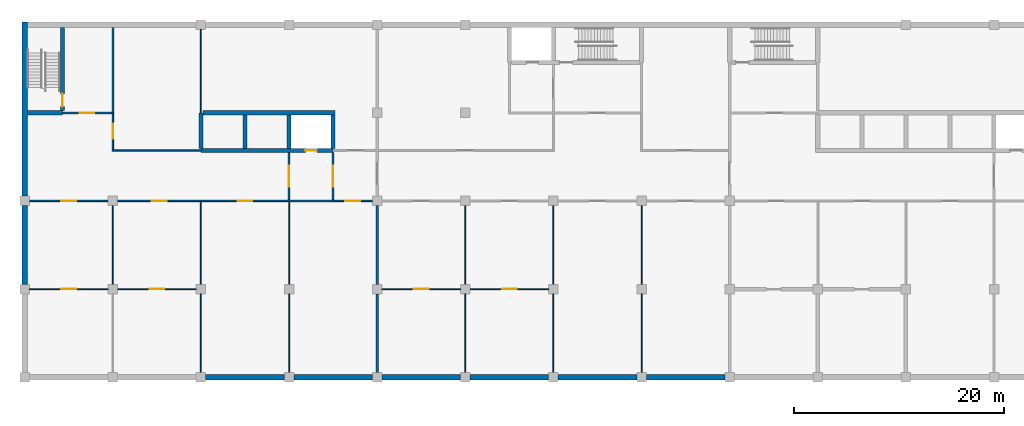
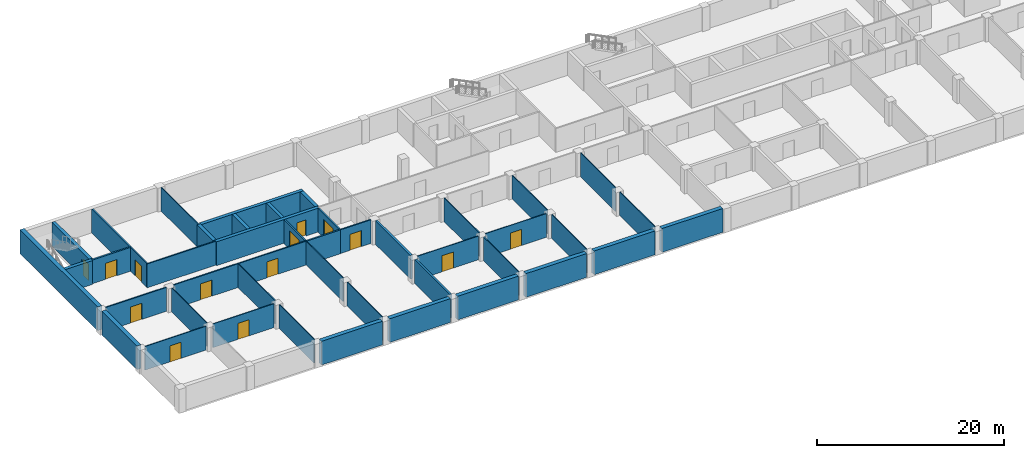
# One storey, part 2 of 12: 44 walls, 14 doors, 14 openings.
"""IFC4 building model written with IfcOpenShell, lengths in metres."""

from ifc_helpers import new_model, si_unit, direction, frame, frame_2d, origin, place, context, subcontext, project, spatial, rectangle, extrude, material, layer, layer_set, type_object, element, fill, save


model = new_model("IFC4")

# Units and contexts
model_context = context("Model", 3, precision=1e-05, world=origin(), true_north=direction((0.0, 1.0)))
body_context = subcontext(model_context, "Body", "Model", "MODEL_VIEW")
ifc_project = project(units=[si_unit("LENGTHUNIT", "METRE"), si_unit("AREAUNIT", "SQUARE_METRE"), si_unit("VOLUMEUNIT", "CUBIC_METRE"), si_unit("PLANEANGLEUNIT", "RADIAN"), si_unit("MASSUNIT", "GRAM", prefix="KILO")], contexts=[model_context])

# Site, building, storey
site_placement = place(None, origin())
site = spatial("IfcSite", under=ifc_project, at=site_placement, CompositionType="ELEMENT")
building_placement = place(site_placement, origin())
building = spatial("IfcBuilding", under=site, at=building_placement, Name="Yavir Park General Hospital", CompositionType="ELEMENT")
storey_placement = place(building_placement, frame((0.0, 0.0, -7.800048828125)))
storey = spatial("IfcBuildingStorey", under=building, at=storey_placement, Name="B2", CompositionType="ELEMENT", Elevation=-7.800048828125)

# Walls
ifc_material_1 = material(Name="Concrete C30/37", Category="concrete")
ifc_layer_1 = layer(ifc_material_1, 0.25)
ifc_layer_set_1 = layer_set([ifc_layer_1], Name="Concrete C30/37")
wall_type_1 = type_object("IfcWallType", Name="Compartment fire wall 250, REI 150", PredefinedType="SOLIDWALL", material=ifc_layer_set_1)
for number, where, z_axis, x_axis, name in (
    (1, (33.60009765625, 0.449951171875, 0.0), (0.0, 0.0, 1.0), (0.0, 1.0, 0.0), "FW25 B2-070"),
    (2, (33.60009765625, 8.85009765625, 0.0), (0.0, 0.0, 1.0), (0.0, 1.0, 0.0), "FW25 B2-071"),
):
    element("IfcWall", number, at=place(storey_placement, frame(where, z_axis=z_axis, x_axis=x_axis)), inside=storey, type_object=wall_type_1, Name=name, PredefinedType="SOLIDWALL", context=body_context, shape_type="SweptSolid", body=[
        extrude(rectangle(XDim=7.5, YDim=0.25, at=frame_2d((3.75, 0.0))), origin(), (0.0, 0.0, 1.0), 3.10009765625),
    ])
ifc_material_2 = material(Name="Double gypsum board fire partition on steel studs", Category="steel")
ifc_layer_2 = layer(ifc_material_2, 0.199951171875)
ifc_layer_set_2 = layer_set([ifc_layer_2], Name="Double gypsum board fire partition on steel studs")
wall_type_2 = type_object("IfcWallType", Name="Fire-rated partition 200, EI 60", PredefinedType="PARTITIONING", material=ifc_layer_set_2)
wall_1_placement = place(storey_placement, frame((25.199951171875, 16.800048828125, 0.0), z_axis=(0.0, 0.0, 1.0), x_axis=(1.0, 0.0, 0.0)))
element("IfcWall", 3, at=wall_1_placement, inside=storey, type_object=wall_type_2, Name="FP20 B2-013", PredefinedType="PARTITIONING", context=body_context, shape_type="SweptSolid", body=[
    extrude(rectangle(XDim=4.199951171875, YDim=0.199951171875, at=frame_2d((2.10009765625, 0.0))), origin(), (0.0, 0.0, 1.0), 3.10009765625),
])

# Wall, opening, door
wall_2_placement = place(storey_placement, frame((3.60009765625, 25.199951171875, 0.0), z_axis=(0.0, 0.0, 1.0), x_axis=(1.0, 0.0, 0.0)))
wall_2 = element("IfcWall", 4, at=wall_2_placement, inside=storey, type_object=wall_type_2, Name="FP20 B2-038", PredefinedType="PARTITIONING", context=body_context, shape_type="SweptSolid", body=[
    extrude(rectangle(XDim=4.699951171875, YDim=0.199951171875, at=frame_2d((2.35009765625, 0.0))), origin(), (0.0, 0.0, 1.0), 3.10009765625),
])
opening_1_placement = place(wall_2_placement, frame((1.64990234375, 0.0, 0.0)))
opening_1 = element("IfcOpeningElement", 5, at=opening_1_placement, cuts=wall_2, Name="Opening B2.D040", PredefinedType="OPENING", context=body_context, shape_type="SweptSolid", body=[
    extrude(rectangle(XDim=1.39990234375, YDim=2.10009765625, at=frame_2d((0.699951171875, 1.050048828125))), frame((0.0, 0.10986328125, 0.0), z_axis=(0.0, -1.0, 0.0), x_axis=(1.0, 0.0, 0.0)), (0.0, 0.0, 1.0), 0.219970703125),
])
ifc_material_3 = material(Name="Steel frame, fire-resisting leaves with vision panels", Category="steel")
door_type_1 = type_object("IfcDoorType", Name="Double fire door with vision panels 1400 x 2100, EI 60", OperationType="DOUBLE_DOOR_SINGLE_SWING", PredefinedType="DOOR", material=ifc_material_3)
door_1_placement = place(opening_1_placement, origin())
door_1 = element("IfcDoor", 6, at=door_1_placement, inside=storey, type_object=door_type_1, Name="B2.D040", OperationType="SINGLE_SWING_LEFT", OverallHeight=2.10009765625, OverallWidth=1.39990234375, PredefinedType="DOOR", context=body_context, shape_type="SweptSolid", body=[
    extrude(rectangle(XDim=1.39990234375, YDim=2.10009765625, at=frame_2d((0.699951171875, 1.050048828125))), frame((0.0, 0.030029296875, 0.0), z_axis=(0.0, -1.0, 0.0), x_axis=(1.0, 0.0, 0.0)), (0.0, 0.0, 1.0), 0.06005859375),
])
fill(opening_1, door_1)

# Wall
wall_3_placement = place(storey_placement, frame((8.39990234375, 25.199951171875, 0.0), z_axis=(0.0, 0.0, 1.0), x_axis=(0.0, 1.0, 0.0)))
element("IfcWall", 7, at=wall_3_placement, inside=storey, type_object=wall_type_2, Name="FP20 B2-058", PredefinedType="PARTITIONING", context=body_context, shape_type="SweptSolid", body=[
    extrude(rectangle(XDim=8.150146484375, YDim=0.199951171875, at=frame_2d((4.0751953125, 0.0))), origin(), (0.0, 0.0, 1.0), 3.10009765625),
])

# Wall, opening, door
wall_4_placement = place(storey_placement, frame((25.199951171875, 16.89990234375, 0.0), z_axis=(0.0, 0.0, 1.0), x_axis=(0.0, 1.0, 0.0)))
wall_4 = element("IfcWall", 8, at=wall_4_placement, inside=storey, type_object=wall_type_2, Name="FP20 B2-066", PredefinedType="PARTITIONING", context=body_context, shape_type="SweptSolid", body=[
    extrude(rectangle(XDim=4.5, YDim=0.199951171875, at=frame_2d((2.25, 0.0))), origin(), (0.0, 0.0, 1.0), 3.10009765625),
])
opening_2_placement = place(wall_4_placement, frame((1.25, 0.0, 0.0)))
opening_2 = element("IfcOpeningElement", 9, at=opening_2_placement, cuts=wall_4, Name="Opening B2.D056", PredefinedType="OPENING", context=body_context, shape_type="SweptSolid", body=[
    extrude(rectangle(XDim=2.0, YDim=2.39990234375, at=frame_2d((1.0, 1.199951171875))), frame((0.0, 0.10986328125, 0.0), z_axis=(0.0, -1.0, 0.0), x_axis=(1.0, 0.0, 0.0)), (0.0, 0.0, 1.0), 0.219970703125),
])
ifc_material_4 = material(Name="Steel frame, fire-resisting leaves with vision panels", Category="steel")
door_type_2 = type_object("IfcDoorType", Name="Double fire door with vision panels 2000 x 2400, EI 60", OperationType="DOUBLE_DOOR_SINGLE_SWING", PredefinedType="DOOR", material=ifc_material_4)
door_2_placement = place(opening_2_placement, origin())
door_2 = element("IfcDoor", 10, at=door_2_placement, inside=storey, type_object=door_type_2, Name="B2.D056", OperationType="SINGLE_SWING_LEFT", OverallHeight=2.39990234375, OverallWidth=2.0, PredefinedType="DOOR", context=body_context, shape_type="SweptSolid", body=[
    extrude(rectangle(XDim=2.0, YDim=2.39990234375, at=frame_2d((1.0, 1.199951171875))), frame((0.0, 0.030029296875, 0.0), z_axis=(0.0, -1.0, 0.0), x_axis=(1.0, 0.0, 0.0)), (0.0, 0.0, 1.0), 0.06005859375),
])
fill(opening_2, door_2)

wall_5_placement = place(storey_placement, frame((29.39990234375, 16.89990234375, 0.0), z_axis=(0.0, 0.0, 1.0), x_axis=(0.0, 1.0, 0.0)))
wall_5 = element("IfcWall", 11, at=wall_5_placement, inside=storey, type_object=wall_type_2, Name="FP20 B2-068", PredefinedType="PARTITIONING", context=body_context, shape_type="SweptSolid", body=[
    extrude(rectangle(XDim=4.5, YDim=0.199951171875, at=frame_2d((2.25, 0.0))), origin(), (0.0, 0.0, 1.0), 3.10009765625),
])
opening_3_placement = place(wall_5_placement, frame((1.25, 0.0, 0.0)))
opening_3 = element("IfcOpeningElement", 12, at=opening_3_placement, cuts=wall_5, Name="Opening B2.D057", PredefinedType="OPENING", context=body_context, shape_type="SweptSolid", body=[
    extrude(rectangle(XDim=2.0, YDim=2.39990234375, at=frame_2d((1.0, 1.199951171875))), frame((0.0, 0.10986328125, 0.0), z_axis=(0.0, -1.0, 0.0), x_axis=(1.0, 0.0, 0.0)), (0.0, 0.0, 1.0), 0.219970703125),
])
door_3_placement = place(opening_3_placement, origin())
door_3 = element("IfcDoor", 13, at=door_3_placement, inside=storey, type_object=door_type_2, Name="B2.D057", OperationType="SINGLE_SWING_LEFT", OverallHeight=2.39990234375, OverallWidth=2.0, PredefinedType="DOOR", context=body_context, shape_type="SweptSolid", body=[
    extrude(rectangle(XDim=2.0, YDim=2.39990234375, at=frame_2d((1.0, 1.199951171875))), frame((0.0, 0.030029296875, 0.0), z_axis=(0.0, -1.0, 0.0), x_axis=(1.0, 0.0, 0.0)), (0.0, 0.0, 1.0), 0.06005859375),
])
fill(opening_3, door_3)

ifc_material_5 = material(Name="Gypsum board partition on steel studs", Category="steel")
ifc_layer_3 = layer(ifc_material_5, 0.10009765625)
ifc_layer_set_3 = layer_set([ifc_layer_3], Name="Gypsum board partition on steel studs")
wall_type_3 = type_object("IfcWallType", Name="Gypsum board partition 100", PredefinedType="PARTITIONING", material=ifc_layer_set_3)
wall_6_placement = place(storey_placement, frame((0.449951171875, 8.39990234375, 0.0), z_axis=(0.0, 0.0, 1.0), x_axis=(1.0, 0.0, 0.0)))
wall_6 = element("IfcWall", 14, at=wall_6_placement, inside=storey, type_object=wall_type_3, Name="P10 B2-001", PredefinedType="PARTITIONING", context=body_context, shape_type="SweptSolid", body=[
    extrude(rectangle(XDim=7.5, YDim=0.10009765625, at=frame_2d((3.75, 0.0))), origin(), (0.0, 0.0, 1.0), 3.10009765625),
])
opening_4_placement = place(wall_6_placement, frame((3.050048828125, 0.0, 0.0)))
opening_4 = element("IfcOpeningElement", 15, at=opening_4_placement, cuts=wall_6, Name="Opening B2.D001", PredefinedType="OPENING", context=body_context, shape_type="SweptSolid", body=[
    extrude(rectangle(XDim=1.39990234375, YDim=2.10009765625, at=frame_2d((0.699951171875, 1.050048828125))), frame((0.0, 0.06005859375, 0.0), z_axis=(0.0, -1.0, 0.0), x_axis=(1.0, 0.0, 0.0)), (0.0, 0.0, 1.0), 0.1201171875),
])
ifc_material_6 = material(Name="Hollow metal frame, solid-core timber leaf", Category="wood")
door_type_3 = type_object("IfcDoorType", Name="Double swing door 1400 x 2100", OperationType="DOUBLE_DOOR_SINGLE_SWING", PredefinedType="DOOR", material=ifc_material_6)
door_4_placement = place(opening_4_placement, origin())
door_4 = element("IfcDoor", 16, at=door_4_placement, inside=storey, type_object=door_type_3, Name="B2.D001", OperationType="SINGLE_SWING_LEFT", OverallHeight=2.10009765625, OverallWidth=1.39990234375, PredefinedType="DOOR", context=body_context, shape_type="SweptSolid", body=[
    extrude(rectangle(XDim=1.39990234375, YDim=2.10009765625, at=frame_2d((0.699951171875, 1.050048828125))), frame((0.0, 0.02490234375, 0.0), z_axis=(0.0, -1.0, 0.0), x_axis=(1.0, 0.0, 0.0)), (0.0, 0.0, 1.0), 0.050048828125),
])
fill(opening_4, door_4)

wall_7_placement = place(storey_placement, frame((8.85009765625, 8.39990234375, 0.0), z_axis=(0.0, 0.0, 1.0), x_axis=(1.0, 0.0, 0.0)))
wall_7 = element("IfcWall", 17, at=wall_7_placement, inside=storey, type_object=wall_type_3, Name="P10 B2-002", PredefinedType="PARTITIONING", context=body_context, shape_type="SweptSolid", body=[
    extrude(rectangle(XDim=7.5, YDim=0.10009765625, at=frame_2d((3.75, 0.0))), origin(), (0.0, 0.0, 1.0), 3.10009765625),
])
opening_5_placement = place(wall_7_placement, frame((3.050048828125, 0.0, 0.0)))
opening_5 = element("IfcOpeningElement", 18, at=opening_5_placement, cuts=wall_7, Name="Opening B2.D002", PredefinedType="OPENING", context=body_context, shape_type="SweptSolid", body=[
    extrude(rectangle(XDim=1.39990234375, YDim=2.10009765625, at=frame_2d((0.699951171875, 1.050048828125))), frame((0.0, 0.06005859375, 0.0), z_axis=(0.0, -1.0, 0.0), x_axis=(1.0, 0.0, 0.0)), (0.0, 0.0, 1.0), 0.1201171875),
])
door_5_placement = place(opening_5_placement, origin())
door_5 = element("IfcDoor", 19, at=door_5_placement, inside=storey, type_object=door_type_3, Name="B2.D002", OperationType="SINGLE_SWING_LEFT", OverallHeight=2.10009765625, OverallWidth=1.39990234375, PredefinedType="DOOR", context=body_context, shape_type="SweptSolid", body=[
    extrude(rectangle(XDim=1.39990234375, YDim=2.10009765625, at=frame_2d((0.699951171875, 1.050048828125))), frame((0.0, 0.02490234375, 0.0), z_axis=(0.0, -1.0, 0.0), x_axis=(1.0, 0.0, 0.0)), (0.0, 0.0, 1.0), 0.050048828125),
])
fill(opening_5, door_5)

wall_8_placement = place(storey_placement, frame((34.050048828125, 8.39990234375, 0.0), z_axis=(0.0, 0.0, 1.0), x_axis=(1.0, 0.0, 0.0)))
wall_8 = element("IfcWall", 20, at=wall_8_placement, inside=storey, type_object=wall_type_3, Name="P10 B2-003", PredefinedType="PARTITIONING", context=body_context, shape_type="SweptSolid", body=[
    extrude(rectangle(XDim=7.5, YDim=0.10009765625, at=frame_2d((3.75, 0.0))), origin(), (0.0, 0.0, 1.0), 3.10009765625),
])
opening_6_placement = place(wall_8_placement, frame((3.050048828125, 0.0, 0.0)))
opening_6 = element("IfcOpeningElement", 21, at=opening_6_placement, cuts=wall_8, Name="Opening B2.D003", PredefinedType="OPENING", context=body_context, shape_type="SweptSolid", body=[
    extrude(rectangle(XDim=1.39990234375, YDim=2.10009765625, at=frame_2d((0.699951171875, 1.050048828125))), frame((0.0, 0.06005859375, 0.0), z_axis=(0.0, -1.0, 0.0), x_axis=(1.0, 0.0, 0.0)), (0.0, 0.0, 1.0), 0.1201171875),
])
door_6_placement = place(opening_6_placement, origin())
door_6 = element("IfcDoor", 22, at=door_6_placement, inside=storey, type_object=door_type_3, Name="B2.D003", OperationType="SINGLE_SWING_LEFT", OverallHeight=2.10009765625, OverallWidth=1.39990234375, PredefinedType="DOOR", context=body_context, shape_type="SweptSolid", body=[
    extrude(rectangle(XDim=1.39990234375, YDim=2.10009765625, at=frame_2d((0.699951171875, 1.050048828125))), frame((0.0, 0.02490234375, 0.0), z_axis=(0.0, -1.0, 0.0), x_axis=(1.0, 0.0, 0.0)), (0.0, 0.0, 1.0), 0.050048828125),
])
fill(opening_6, door_6)

wall_9_placement = place(storey_placement, frame((42.449951171875, 8.39990234375, 0.0), z_axis=(0.0, 0.0, 1.0), x_axis=(1.0, 0.0, 0.0)))
wall_9 = element("IfcWall", 23, at=wall_9_placement, inside=storey, type_object=wall_type_3, Name="P10 B2-004", PredefinedType="PARTITIONING", context=body_context, shape_type="SweptSolid", body=[
    extrude(rectangle(XDim=7.5, YDim=0.10009765625, at=frame_2d((3.75, 0.0))), origin(), (0.0, 0.0, 1.0), 3.10009765625),
])
opening_7_placement = place(wall_9_placement, frame((3.050048828125, 0.0, 0.0)))
opening_7 = element("IfcOpeningElement", 24, at=opening_7_placement, cuts=wall_9, Name="Opening B2.D004", PredefinedType="OPENING", context=body_context, shape_type="SweptSolid", body=[
    extrude(rectangle(XDim=1.39990234375, YDim=2.10009765625, at=frame_2d((0.699951171875, 1.050048828125))), frame((0.0, 0.06005859375, 0.0), z_axis=(0.0, -1.0, 0.0), x_axis=(1.0, 0.0, 0.0)), (0.0, 0.0, 1.0), 0.1201171875),
])
door_7_placement = place(opening_7_placement, origin())
door_7 = element("IfcDoor", 25, at=door_7_placement, inside=storey, type_object=door_type_3, Name="B2.D004", OperationType="SINGLE_SWING_LEFT", OverallHeight=2.10009765625, OverallWidth=1.39990234375, PredefinedType="DOOR", context=body_context, shape_type="SweptSolid", body=[
    extrude(rectangle(XDim=1.39990234375, YDim=2.10009765625, at=frame_2d((0.699951171875, 1.050048828125))), frame((0.0, 0.02490234375, 0.0), z_axis=(0.0, -1.0, 0.0), x_axis=(1.0, 0.0, 0.0)), (0.0, 0.0, 1.0), 0.050048828125),
])
fill(opening_7, door_7)

# Walls
for number, where, z_axis, x_axis, name in (
    (26, (8.39990234375, 8.85009765625, 0.0), (0.0, 0.0, 1.0), (0.0, 1.0, 0.0), "P10 B2-056"),
    (27, (16.800048828125, 0.449951171875, 0.0), (0.0, 0.0, 1.0), (0.0, 1.0, 0.0), "P10 B2-059"),
):
    element("IfcWall", number, at=place(storey_placement, frame(where, z_axis=z_axis, x_axis=x_axis)), inside=storey, type_object=wall_type_3, Name=name, PredefinedType="PARTITIONING", context=body_context, shape_type="SweptSolid", body=[
        extrude(rectangle(XDim=7.5, YDim=0.10009765625, at=frame_2d((3.75, 0.0))), origin(), (0.0, 0.0, 1.0), 3.10009765625),
    ])
wall_10_placement = place(storey_placement, frame((16.800048828125, 8.85009765625, 0.0), z_axis=(0.0, 0.0, 1.0), x_axis=(0.0, 1.0, 0.0)))
element("IfcWall", 28, at=wall_10_placement, inside=storey, type_object=wall_type_3, Name="P10 B2-060", PredefinedType="PARTITIONING", context=body_context, shape_type="SweptSolid", body=[
    extrude(rectangle(XDim=7.875, YDim=0.10009765625, at=frame_2d((3.9375, 0.0))), origin(), (0.0, 0.0, 1.0), 3.10009765625),
])
wall_11_placement = place(storey_placement, frame((16.800048828125, 25.199951171875, 0.0), z_axis=(0.0, 0.0, 1.0), x_axis=(0.0, 1.0, 0.0)))
element("IfcWall", 29, at=wall_11_placement, inside=storey, type_object=wall_type_3, Name="P10 B2-062", PredefinedType="PARTITIONING", context=body_context, shape_type="SweptSolid", body=[
    extrude(rectangle(XDim=7.949951171875, YDim=0.10009765625, at=frame_2d((3.97509765625, 0.0))), origin(), (0.0, 0.0, 1.0), 3.10009765625),
])
wall_12_placement = place(storey_placement, frame((25.199951171875, 0.449951171875, 0.0), z_axis=(0.0, 0.0, 1.0), x_axis=(0.0, 1.0, 0.0)))
element("IfcWall", 30, at=wall_12_placement, inside=storey, type_object=wall_type_3, Name="P10 B2-064", PredefinedType="PARTITIONING", context=body_context, shape_type="SweptSolid", body=[
    extrude(rectangle(XDim=7.5, YDim=0.10009765625, at=frame_2d((3.75, 0.0))), origin(), (0.0, 0.0, 1.0), 3.10009765625),
])
wall_13_placement = place(storey_placement, frame((25.199951171875, 8.85009765625, 0.0), z_axis=(0.0, 0.0, 1.0), x_axis=(0.0, 1.0, 0.0)))
element("IfcWall", 31, at=wall_13_placement, inside=storey, type_object=wall_type_3, Name="P10 B2-065", PredefinedType="PARTITIONING", context=body_context, shape_type="SweptSolid", body=[
    extrude(rectangle(XDim=7.849853515625, YDim=0.10009765625, at=frame_2d((3.9248046875, 0.0))), origin(), (0.0, 0.0, 1.0), 3.10009765625),
])
for number, where, z_axis, x_axis, name in (
    (32, (42.0, 0.449951171875, 0.0), (0.0, 0.0, 1.0), (0.0, 1.0, 0.0), "P10 B2-075"),
    (33, (42.0, 8.85009765625, 0.0), (0.0, 0.0, 1.0), (0.0, 1.0, 0.0), "P10 B2-076"),
    (34, (50.39990234375, 0.449951171875, 0.0), (0.0, 0.0, 1.0), (0.0, 1.0, 0.0), "P10 B2-079"),
    (35, (50.39990234375, 8.85009765625, 0.0), (0.0, 0.0, 1.0), (0.0, 1.0, 0.0), "P10 B2-080"),
    (36, (58.800048828125, 0.449951171875, 0.0), (0.0, 0.0, 1.0), (0.0, 1.0, 0.0), "P10 B2-084"),
    (37, (58.800048828125, 8.85009765625, 0.0), (0.0, 0.0, 1.0), (0.0, 1.0, 0.0), "P10 B2-085"),
):
    element("IfcWall", number, at=place(storey_placement, frame(where, z_axis=z_axis, x_axis=x_axis)), inside=storey, type_object=wall_type_3, Name=name, PredefinedType="PARTITIONING", context=body_context, shape_type="SweptSolid", body=[
        extrude(rectangle(XDim=7.5, YDim=0.10009765625, at=frame_2d((3.75, 0.0))), origin(), (0.0, 0.0, 1.0), 3.10009765625),
    ])

# Wall, opening, door
ifc_material_7 = material(Name="Gypsum board partition on steel studs", Category="steel")
ifc_layer_4 = layer(ifc_material_7, 0.14990234375)
ifc_layer_set_4 = layer_set([ifc_layer_4], Name="Gypsum board partition on steel studs")
wall_type_4 = type_object("IfcWallType", Name="Gypsum board partition 150", PredefinedType="PARTITIONING", material=ifc_layer_set_4)
wall_14_placement = place(storey_placement, frame((0.449951171875, 16.800048828125, 0.0), z_axis=(0.0, 0.0, 1.0), x_axis=(1.0, 0.0, 0.0)))
wall_14 = element("IfcWall", 38, at=wall_14_placement, inside=storey, type_object=wall_type_4, Name="P15 B2-011", PredefinedType="PARTITIONING", context=body_context, shape_type="SweptSolid", body=[
    extrude(rectangle(XDim=7.5, YDim=0.14990234375, at=frame_2d((3.75, 0.0))), origin(), (0.0, 0.0, 1.0), 3.10009765625),
])
opening_8_placement = place(wall_14_placement, frame((3.050048828125, 0.0, 0.0)))
opening_8 = element("IfcOpeningElement", 39, at=opening_8_placement, cuts=wall_14, Name="Opening B2.D010", PredefinedType="OPENING", context=body_context, shape_type="SweptSolid", body=[
    extrude(rectangle(XDim=1.39990234375, YDim=2.10009765625, at=frame_2d((0.699951171875, 1.050048828125))), frame((0.0, 0.0849609375, 0.0), z_axis=(0.0, -1.0, 0.0), x_axis=(1.0, 0.0, 0.0)), (0.0, 0.0, 1.0), 0.169921875),
])
door_8_placement = place(opening_8_placement, origin())
door_8 = element("IfcDoor", 40, at=door_8_placement, inside=storey, type_object=door_type_3, Name="B2.D010", OperationType="SINGLE_SWING_LEFT", OverallHeight=2.10009765625, OverallWidth=1.39990234375, PredefinedType="DOOR", context=body_context, shape_type="SweptSolid", body=[
    extrude(rectangle(XDim=1.39990234375, YDim=2.10009765625, at=frame_2d((0.699951171875, 1.050048828125))), frame((0.0, 0.02490234375, 0.0), z_axis=(0.0, -1.0, 0.0), x_axis=(1.0, 0.0, 0.0)), (0.0, 0.0, 1.0), 0.050048828125),
])
fill(opening_8, door_8)

# Wall, openings, doors
wall_15_placement = place(storey_placement, frame((8.85009765625, 16.800048828125, 0.0), z_axis=(0.0, 0.0, 1.0), x_axis=(1.0, 0.0, 0.0)))
wall_15 = element("IfcWall", 41, at=wall_15_placement, inside=storey, type_object=wall_type_4, Name="P15 B2-012", PredefinedType="PARTITIONING", context=body_context, shape_type="SweptSolid", body=[
    extrude(rectangle(XDim=16.349853515625, YDim=0.14990234375, at=frame_2d((8.1748046875, 0.0))), origin(), (0.0, 0.0, 1.0), 3.10009765625),
])
opening_9_placement = place(wall_15_placement, frame((3.27490234375, 0.0, 0.0)))
opening_9 = element("IfcOpeningElement", 42, at=opening_9_placement, cuts=wall_15, Name="Opening B2.D011", PredefinedType="OPENING", context=body_context, shape_type="SweptSolid", body=[
    extrude(rectangle(XDim=1.39990234375, YDim=2.10009765625, at=frame_2d((0.699951171875, 1.050048828125))), frame((0.0, 0.0849609375, 0.0), z_axis=(0.0, -1.0, 0.0), x_axis=(1.0, 0.0, 0.0)), (0.0, 0.0, 1.0), 0.169921875),
])
opening_10_placement = place(wall_15_placement, frame((11.449951171875, 0.0, 0.0)))
opening_10 = element("IfcOpeningElement", 43, at=opening_10_placement, cuts=wall_15, Name="Opening B2.D012", PredefinedType="OPENING", context=body_context, shape_type="SweptSolid", body=[
    extrude(rectangle(XDim=1.39990234375, YDim=2.10009765625, at=frame_2d((0.699951171875, 1.050048828125))), frame((0.0, 0.0849609375, 0.0), z_axis=(0.0, -1.0, 0.0), x_axis=(1.0, 0.0, 0.0)), (0.0, 0.0, 1.0), 0.169921875),
])
door_9_placement = place(opening_9_placement, origin())
door_9 = element("IfcDoor", 44, at=door_9_placement, inside=storey, type_object=door_type_3, Name="B2.D011", OperationType="SINGLE_SWING_RIGHT", OverallHeight=2.10009765625, OverallWidth=1.39990234375, PredefinedType="DOOR", context=body_context, shape_type="SweptSolid", body=[
    extrude(rectangle(XDim=1.39990234375, YDim=2.10009765625, at=frame_2d((0.699951171875, 1.050048828125))), frame((0.0, 0.02490234375, 0.0), z_axis=(0.0, -1.0, 0.0), x_axis=(1.0, 0.0, 0.0)), (0.0, 0.0, 1.0), 0.050048828125),
])
fill(opening_9, door_9)
door_10_placement = place(opening_10_placement, origin())
door_10 = element("IfcDoor", 45, at=door_10_placement, inside=storey, type_object=door_type_3, Name="B2.D012", OperationType="SINGLE_SWING_LEFT", OverallHeight=2.10009765625, OverallWidth=1.39990234375, PredefinedType="DOOR", context=body_context, shape_type="SweptSolid", body=[
    extrude(rectangle(XDim=1.39990234375, YDim=2.10009765625, at=frame_2d((0.699951171875, 1.050048828125))), frame((0.0, 0.02490234375, 0.0), z_axis=(0.0, -1.0, 0.0), x_axis=(1.0, 0.0, 0.0)), (0.0, 0.0, 1.0), 0.050048828125),
])
fill(opening_10, door_10)

# Wall, opening, door
wall_16_placement = place(storey_placement, frame((29.39990234375, 16.800048828125, 0.0), z_axis=(0.0, 0.0, 1.0), x_axis=(1.0, 0.0, 0.0)))
wall_16 = element("IfcWall", 46, at=wall_16_placement, inside=storey, type_object=wall_type_4, Name="P15 B2-014", PredefinedType="PARTITIONING", context=body_context, shape_type="SweptSolid", body=[
    extrude(rectangle(XDim=3.75, YDim=0.14990234375, at=frame_2d((1.875, 0.0))), origin(), (0.0, 0.0, 1.0), 3.10009765625),
])
opening_11_placement = place(wall_16_placement, frame((1.175048828125, 0.0, 0.0)))
opening_11 = element("IfcOpeningElement", 47, at=opening_11_placement, cuts=wall_16, Name="Opening B2.D013", PredefinedType="OPENING", context=body_context, shape_type="SweptSolid", body=[
    extrude(rectangle(XDim=1.39990234375, YDim=2.10009765625, at=frame_2d((0.699951171875, 1.050048828125))), frame((0.0, 0.0849609375, 0.0), z_axis=(0.0, -1.0, 0.0), x_axis=(1.0, 0.0, 0.0)), (0.0, 0.0, 1.0), 0.169921875),
])
door_11_placement = place(opening_11_placement, origin())
door_11 = element("IfcDoor", 48, at=door_11_placement, inside=storey, type_object=door_type_3, Name="B2.D013", OperationType="SINGLE_SWING_RIGHT", OverallHeight=2.10009765625, OverallWidth=1.39990234375, PredefinedType="DOOR", context=body_context, shape_type="SweptSolid", body=[
    extrude(rectangle(XDim=1.39990234375, YDim=2.10009765625, at=frame_2d((0.699951171875, 1.050048828125))), frame((0.0, 0.02490234375, 0.0), z_axis=(0.0, -1.0, 0.0), x_axis=(1.0, 0.0, 0.0)), (0.0, 0.0, 1.0), 0.050048828125),
])
fill(opening_11, door_11)

# Wall
wall_17_placement = place(storey_placement, frame((8.324951171875, 21.60009765625, 0.0), z_axis=(0.0, 0.0, 1.0), x_axis=(1.0, 0.0, 0.0)))
element("IfcWall", 49, at=wall_17_placement, inside=storey, type_object=wall_type_4, Name="P15 B2-028", PredefinedType="PARTITIONING", context=body_context, shape_type="SweptSolid", body=[
    extrude(rectangle(XDim=8.47509765625, YDim=0.14990234375, at=frame_2d((4.237548828125, 0.0))), origin(), (0.0, 0.0, 1.0), 3.10009765625),
])

# Wall, opening, door
wall_18_placement = place(storey_placement, frame((8.39990234375, 21.675048828125, 0.0), z_axis=(0.0, 0.0, 1.0), x_axis=(0.0, 1.0, 0.0)))
wall_18 = element("IfcWall", 50, at=wall_18_placement, inside=storey, type_object=wall_type_4, Name="P15 B2-057", PredefinedType="PARTITIONING", context=body_context, shape_type="SweptSolid", body=[
    extrude(rectangle(XDim=3.52490234375, YDim=0.14990234375, at=frame_2d((1.762451171875, 0.0))), origin(), (0.0, 0.0, 1.0), 3.10009765625),
])
opening_12_placement = place(wall_18_placement, frame((1.0625, 0.0, 0.0)))
opening_12 = element("IfcOpeningElement", 51, at=opening_12_placement, cuts=wall_18, Name="Opening B2.D055", PredefinedType="OPENING", context=body_context, shape_type="SweptSolid", body=[
    extrude(rectangle(XDim=1.39990234375, YDim=2.10009765625, at=frame_2d((0.699951171875, 1.050048828125))), frame((0.0, 0.0849609375, 0.0), z_axis=(0.0, -1.0, 0.0), x_axis=(1.0, 0.0, 0.0)), (0.0, 0.0, 1.0), 0.169921875),
])
door_12_placement = place(opening_12_placement, origin())
door_12 = element("IfcDoor", 52, at=door_12_placement, inside=storey, type_object=door_type_3, Name="B2.D055", OperationType="SINGLE_SWING_LEFT", OverallHeight=2.10009765625, OverallWidth=1.39990234375, PredefinedType="DOOR", context=body_context, shape_type="SweptSolid", body=[
    extrude(rectangle(XDim=1.39990234375, YDim=2.10009765625, at=frame_2d((0.699951171875, 1.050048828125))), frame((0.0, 0.02490234375, 0.0), z_axis=(0.0, -1.0, 0.0), x_axis=(1.0, 0.0, 0.0)), (0.0, 0.0, 1.0), 0.050048828125),
])
fill(opening_12, door_12)

# Walls
ifc_material_8 = material(Name="Concrete C35/45", Category="concrete")
ifc_layer_5 = layer(ifc_material_8, 0.5)
ifc_layer_set_5 = layer_set([ifc_layer_5], Name="Concrete C35/45")
wall_type_5 = type_object("IfcWallType", Name="RC WALL RETAINING 500", PredefinedType="SOLIDWALL", material=ifc_layer_set_5)
for number, where, z_axis, x_axis, name in (
    (53, (17.25, 0.0, 0.0), (0.0, 0.0, 1.0), (1.0, 0.0, 0.0), "W:RET:B2:S2"),
    (54, (25.64990234375, 0.0, 0.0), (0.0, 0.0, 1.0), (1.0, 0.0, 0.0), "W:RET:B2:S3"),
    (55, (34.050048828125, 0.0, 0.0), (0.0, 0.0, 1.0), (1.0, 0.0, 0.0), "W:RET:B2:S4"),
    (56, (42.449951171875, 0.0, 0.0), (0.0, 0.0, 1.0), (1.0, 0.0, 0.0), "W:RET:B2:S5"),
    (57, (50.85009765625, 0.0, 0.0), (0.0, 0.0, 1.0), (1.0, 0.0, 0.0), "W:RET:B2:S6"),
    (58, (59.25, 0.0, 0.0), (0.0, 0.0, 1.0), (1.0, 0.0, 0.0), "W:RET:B2:S7"),
    (59, (0.0, 8.85009765625, 0.0), (0.0, 0.0, 1.0), (0.0, 1.0, 0.0), "W:RET:B2:W31"),
):
    element("IfcWall", number, at=place(storey_placement, frame(where, z_axis=z_axis, x_axis=x_axis)), inside=storey, type_object=wall_type_5, Name=name, PredefinedType="SOLIDWALL", context=body_context, shape_type="SweptSolid", body=[
        extrude(rectangle(XDim=7.5, YDim=0.5, at=frame_2d((3.75, 0.0))), origin(), (0.0, 0.0, 1.0), 3.10009765625),
    ])
wall_19_placement = place(storey_placement, frame((0.0, 17.25, 0.0), z_axis=(0.0, 0.0, 1.0), x_axis=(0.0, 1.0, 0.0)))
element("IfcWall", 60, at=wall_19_placement, inside=storey, type_object=wall_type_5, Name="W:RET:B2:W32", PredefinedType="SOLIDWALL", context=body_context, shape_type="SweptSolid", body=[
    extrude(rectangle(XDim=16.60009765625, YDim=0.5, at=frame_2d((8.300048828125, 0.0))), origin(), (0.0, 0.0, 1.0), 3.10009765625),
])

# Wall, opening, door
ifc_material_9 = material(Name="Concrete C35/45", Category="concrete")
ifc_layer_6 = layer(ifc_material_9, 0.39990234375)
ifc_layer_set_6 = layer_set([ifc_layer_6], Name="Concrete C35/45")
wall_type_6 = type_object("IfcWallType", Name="Reinforced concrete core wall 400, REI 150", PredefinedType="SHEAR", material=ifc_layer_set_6)
wall_20_placement = place(storey_placement, frame((16.800048828125, 21.60009765625, 0.0), z_axis=(0.0, 0.0, 1.0), x_axis=(1.0, 0.0, 0.0)))
wall_20 = element("IfcWall", 61, at=wall_20_placement, inside=storey, type_object=wall_type_6, Name="CW40 B2-029", PredefinedType="SHEAR", context=body_context, shape_type="SweptSolid", body=[
    extrude(rectangle(XDim=12.599853515625, YDim=0.39990234375, at=frame_2d((6.2998046875, 0.0))), origin(), (0.0, 0.0, 1.0), 3.10009765625),
])
opening_13_placement = place(wall_20_placement, frame((9.949951171875, 0.0, 0.0)))
opening_13 = element("IfcOpeningElement", 62, at=opening_13_placement, cuts=wall_20, Name="Opening B2.D030", PredefinedType="OPENING", context=body_context, shape_type="SweptSolid", body=[
    extrude(rectangle(XDim=1.10009765625, YDim=2.10009765625, at=frame_2d((0.550048828125, 1.050048828125))), frame((0.0, 0.2099609375, 0.0), z_axis=(0.0, -1.0, 0.0), x_axis=(1.0, 0.0, 0.0)), (0.0, 0.0, 1.0), 0.419921875),
])
ifc_material_10 = material(Name="Stainless steel landing door panels", Category="steel")
door_type_4 = type_object("IfcDoorType", Name="Lift landing door 1100 x 2100, EI 60", OperationType="SLIDING_TO_LEFT", PredefinedType="DOOR", material=ifc_material_10)
door_13_placement = place(opening_13_placement, origin())
door_13 = element("IfcDoor", 63, at=door_13_placement, inside=storey, type_object=door_type_4, Name="B2.D030", OperationType="SLIDING_TO_LEFT", OverallHeight=2.10009765625, OverallWidth=1.10009765625, PredefinedType="DOOR", context=body_context, shape_type="SweptSolid", body=[
    extrude(rectangle(XDim=1.10009765625, YDim=2.10009765625, at=frame_2d((0.550048828125, 1.050048828125))), frame((0.0, 0.02490234375, 0.0), z_axis=(0.0, -1.0, 0.0), x_axis=(1.0, 0.0, 0.0)), (0.0, 0.0, 1.0), 0.050048828125),
])
fill(opening_13, door_13)

# Walls
wall_21_placement = place(storey_placement, frame((0.25, 25.199951171875, 0.0), z_axis=(0.0, 0.0, 1.0), x_axis=(1.0, 0.0, 0.0)))
element("IfcWall", 64, at=wall_21_placement, inside=storey, type_object=wall_type_6, Name="CW40 B2-037", PredefinedType="SHEAR", context=body_context, shape_type="SweptSolid", body=[
    extrude(rectangle(XDim=3.35009765625, YDim=0.39990234375, at=frame_2d((1.675048828125, 0.0))), origin(), (0.0, 0.0, 1.0), 3.10009765625),
])
wall_22_placement = place(storey_placement, frame((17.0, 25.199951171875, 0.0), z_axis=(0.0, 0.0, 1.0), x_axis=(1.0, 0.0, 0.0)))
element("IfcWall", 65, at=wall_22_placement, inside=storey, type_object=wall_type_6, Name="CW40 B2-039", PredefinedType="SHEAR", context=body_context, shape_type="SweptSolid", body=[
    extrude(rectangle(XDim=12.60009765625, YDim=0.39990234375, at=frame_2d((6.300048828125, 0.0))), origin(), (0.0, 0.0, 1.0), 3.10009765625),
])

# Wall, opening, door
wall_23_placement = place(storey_placement, frame((3.60009765625, 25.39990234375, 0.0), z_axis=(0.0, 0.0, 1.0), x_axis=(0.0, 1.0, 0.0)))
wall_23 = element("IfcWall", 66, at=wall_23_placement, inside=storey, type_object=wall_type_6, Name="CW40 B2-054", PredefinedType="SHEAR", context=body_context, shape_type="SweptSolid", body=[
    extrude(rectangle(XDim=7.9501953125, YDim=0.39990234375, at=frame_2d((3.97509765625, 0.0))), origin(), (0.0, 0.0, 1.0), 3.10009765625),
])
opening_14_placement = place(wall_23_placement, frame((0.39990234375, 0.0, 0.0)))
opening_14 = element("IfcOpeningElement", 67, at=opening_14_placement, cuts=wall_23, Name="Opening B2.D054", PredefinedType="OPENING", context=body_context, shape_type="SweptSolid", body=[
    extrude(rectangle(XDim=1.199951171875, YDim=2.10009765625, at=frame_2d((0.60009765625, 1.050048828125))), frame((0.0, 0.2099609375, 0.0), z_axis=(0.0, -1.0, 0.0), x_axis=(1.0, 0.0, 0.0)), (0.0, 0.0, 1.0), 0.419921875),
])
ifc_material_11 = material(Name="Steel frame, fire-resisting timber leaf", Category="steel")
door_type_5 = type_object("IfcDoorType", Name="Fire door 1200 x 2100, EI 60", OperationType="SINGLE_SWING_LEFT", PredefinedType="DOOR", material=ifc_material_11)
door_14_placement = place(opening_14_placement, origin())
door_14 = element("IfcDoor", 68, at=door_14_placement, inside=storey, type_object=door_type_5, Name="B2.D054", OperationType="SINGLE_SWING_RIGHT", OverallHeight=2.10009765625, OverallWidth=1.199951171875, PredefinedType="DOOR", context=body_context, shape_type="SweptSolid", body=[
    extrude(rectangle(XDim=1.199951171875, YDim=2.10009765625, at=frame_2d((0.60009765625, 1.050048828125))), frame((0.0, 0.02490234375, 0.0), z_axis=(0.0, -1.0, 0.0), x_axis=(1.0, 0.0, 0.0)), (0.0, 0.0, 1.0), 0.050048828125),
])
fill(opening_14, door_14)

# Walls
wall_24_placement = place(storey_placement, frame((16.800048828125, 21.800048828125, 0.0), z_axis=(0.0, 0.0, 1.0), x_axis=(0.0, 1.0, 0.0)))
element("IfcWall", 69, at=wall_24_placement, inside=storey, type_object=wall_type_6, Name="CW40 B2-061", PredefinedType="SHEAR", context=body_context, shape_type="SweptSolid", body=[
    extrude(rectangle(XDim=3.39990234375, YDim=0.39990234375, at=frame_2d((1.699951171875, 0.0))), origin(), (0.0, 0.0, 1.0), 3.10009765625),
])
for number, where, z_axis, x_axis, name in (
    (70, (21.0, 21.800048828125, 0.0), (0.0, 0.0, 1.0), (0.0, 1.0, 0.0), "CW40 B2-063"),
    (71, (25.199951171875, 21.800048828125, 0.0), (0.0, 0.0, 1.0), (0.0, 1.0, 0.0), "CW40 B2-067"),
    (72, (29.39990234375, 21.800048828125, 0.0), (0.0, 0.0, 1.0), (0.0, 1.0, 0.0), "CW40 B2-069"),
):
    element("IfcWall", number, at=place(storey_placement, frame(where, z_axis=z_axis, x_axis=x_axis)), inside=storey, type_object=wall_type_6, Name=name, PredefinedType="SHEAR", context=body_context, shape_type="SweptSolid", body=[
        extrude(rectangle(XDim=3.199951171875, YDim=0.39990234375, at=frame_2d((1.60009765625, 0.0))), origin(), (0.0, 0.0, 1.0), 3.10009765625),
    ])

save(model, "model.ifc")
